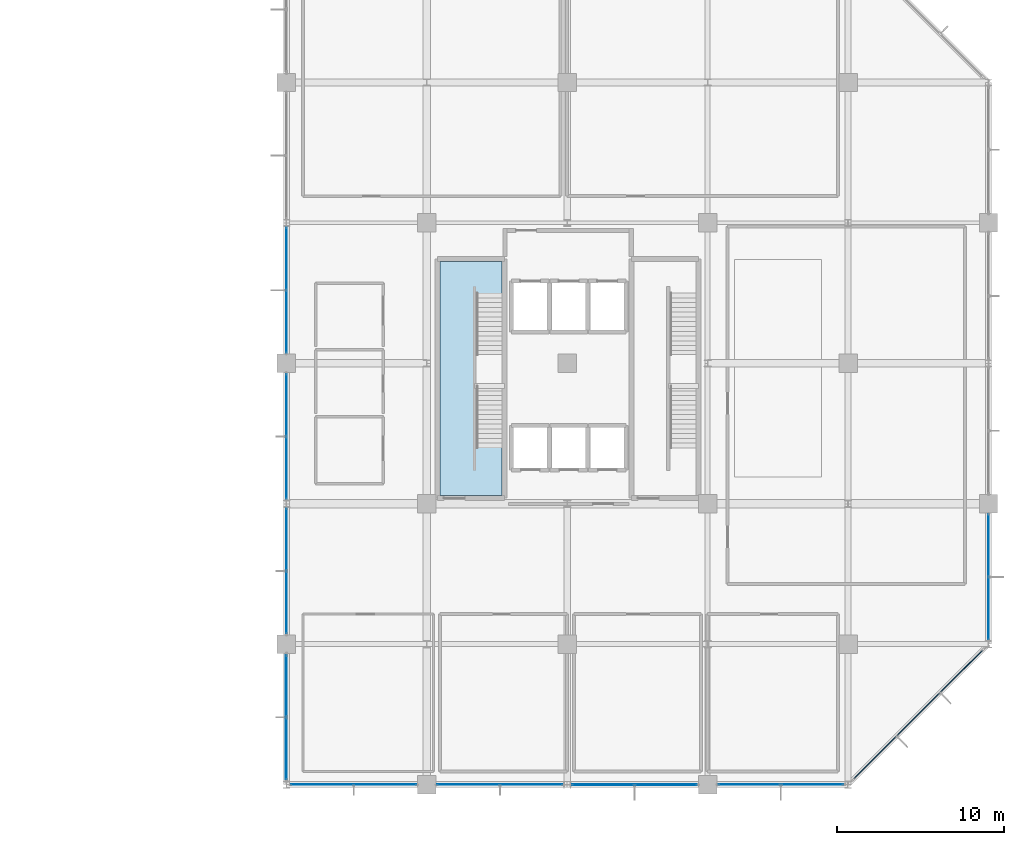
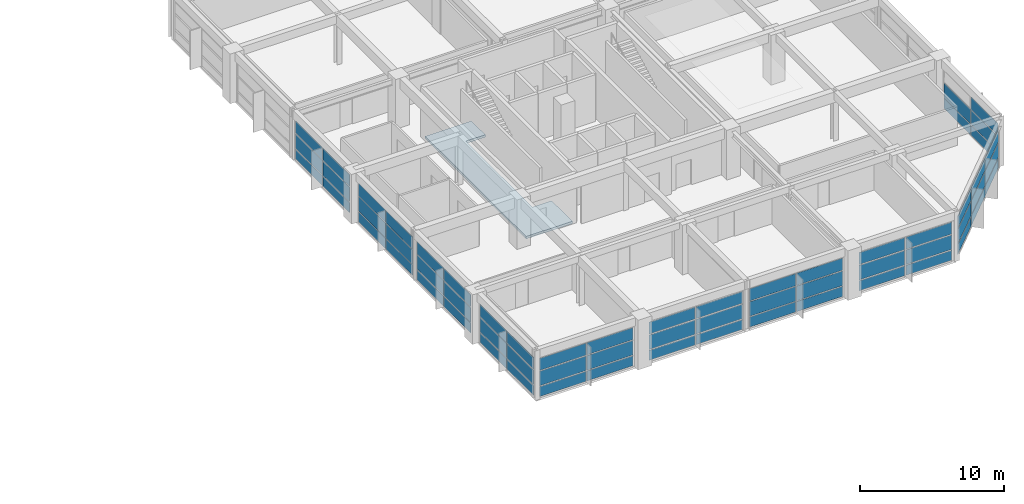
# One storey, part 13 of 19: 62 plates, 1 slab, 11 elements without a shape of their own.
"""IFC4 building model written with IfcOpenShell, lengths in metres."""

from ifc_helpers import new_model, si_unit, direction, frame, origin, origin_2d, place, context, subcontext, project, spatial, polyline, rectangle, outline, extrude, material, layer, layer_set, type_object, element, aggregate, save


model = new_model("IFC4")

# Units and contexts
model_context = context("Model", 3, precision=1e-05, world=origin(), true_north=direction((0.0, 1.0)))
body_context = subcontext(model_context, "Body", "Model", "MODEL_VIEW")
ifc_project = project(units=[si_unit("LENGTHUNIT", "METRE"), si_unit("AREAUNIT", "SQUARE_METRE"), si_unit("VOLUMEUNIT", "CUBIC_METRE"), si_unit("PLANEANGLEUNIT", "RADIAN"), si_unit("MASSUNIT", "GRAM", prefix="KILO")], contexts=[model_context])

# Site, building, storey
site_placement = place(None, origin())
site = spatial("IfcSite", under=ifc_project, at=site_placement, CompositionType="ELEMENT")
building_placement = place(site_placement, origin())
building = spatial("IfcBuilding", under=site, at=building_placement, Name="Xuanlan Plaza Opera House", CompositionType="ELEMENT")
storey_placement = place(building_placement, frame((0.0, 0.0, 36.300048828125)))
storey = spatial("IfcBuildingStorey", under=building, at=storey_placement, Name="L08", CompositionType="ELEMENT", Elevation=36.300048828125)

# Curtain wall, plates
ifc_material_1 = material(Name="Anodised Aluminium 6063-T6 and Low-E Glass", Category="aluminium")
curtain_wall_type_1 = type_object("IfcCurtainWallType", Name="ENV-CW-CW-04", PredefinedType="USERDEFINED", material=ifc_material_1)
curtain_wall_1_placement = place(storey_placement, origin())
curtain_wall_1 = element("IfcCurtainWall", 1, at=curtain_wall_1_placement, inside=storey, type_object=curtain_wall_type_1, Name="Unitised Curtain Wall L08-002", ObjectType="UNITISED CURTAIN WALL", PredefinedType="USERDEFINED")
ifc_material_2 = material(Name="Laminated Acoustic Double Glazing", Category="glass")
ifc_layer_1 = layer(ifc_material_2, 0.028076171875)
ifc_layer_set_1 = layer_set([ifc_layer_1], Name="Laminated Acoustic Double Glazing")
plate_type_1 = type_object("IfcPlateType", Name="ENV-CWP-01", PredefinedType="CURTAIN_PANEL", material=ifc_layer_set_1)
plate_1_placement = place(storey_placement, frame((136.889892578125, 33.60009765625, 0.079833984375), z_axis=(0.0, 0.0, 1.0), x_axis=(1.0, 0.0, 0.0)))
plate_1 = element("IfcPlate", 2, at=plate_1_placement, type_object=plate_type_1, Name="CW-04 panel 1.1", PredefinedType="CURTAIN_PANEL", context=body_context, shape_type="SweptSolid", body=[
    extrude(rectangle(XDim=3.699951171875, YDim=0.028076171875, at=origin_2d()), origin(), (0.0, 0.0, 1.0), 0.830078125),
])
plate_2_placement = place(storey_placement, frame((136.889892578125, 33.60009765625, 0.98974609375), z_axis=(0.0, 0.0, 1.0), x_axis=(1.0, 0.0, 0.0)))
plate_2 = element("IfcPlate", 3, at=plate_2_placement, type_object=plate_type_1, Name="CW-04 panel 1.2", PredefinedType="CURTAIN_PANEL", context=body_context, shape_type="SweptSolid", body=[
    extrude(rectangle(XDim=3.699951171875, YDim=0.028076171875, at=origin_2d()), origin(), (0.0, 0.0, 1.0), 1.219970703125),
])
plate_3_placement = place(storey_placement, frame((136.889892578125, 33.60009765625, 2.2900390625), z_axis=(0.0, 0.0, 1.0), x_axis=(1.0, 0.0, 0.0)))
plate_3 = element("IfcPlate", 4, at=plate_3_placement, type_object=plate_type_1, Name="CW-04 panel 1.3", PredefinedType="CURTAIN_PANEL", context=body_context, shape_type="SweptSolid", body=[
    extrude(rectangle(XDim=3.699951171875, YDim=0.028076171875, at=origin_2d()), origin(), (0.0, 0.0, 1.0), 1.010009765625),
])
plate_4_placement = place(storey_placement, frame((140.659912109375, 33.60009765625, 0.079833984375), z_axis=(0.0, 0.0, 1.0), x_axis=(1.0, 0.0, 0.0)))
plate_4 = element("IfcPlate", 5, at=plate_4_placement, type_object=plate_type_1, Name="CW-04 panel 2.1", PredefinedType="CURTAIN_PANEL", context=body_context, shape_type="SweptSolid", body=[
    extrude(rectangle(XDim=3.699951171875, YDim=0.028076171875, at=origin_2d()), origin(), (0.0, 0.0, 1.0), 0.830078125),
])
plate_5_placement = place(storey_placement, frame((140.659912109375, 33.60009765625, 0.98974609375), z_axis=(0.0, 0.0, 1.0), x_axis=(1.0, 0.0, 0.0)))
plate_5 = element("IfcPlate", 6, at=plate_5_placement, type_object=plate_type_1, Name="CW-04 panel 2.2", PredefinedType="CURTAIN_PANEL", context=body_context, shape_type="SweptSolid", body=[
    extrude(rectangle(XDim=3.699951171875, YDim=0.028076171875, at=origin_2d()), origin(), (0.0, 0.0, 1.0), 1.219970703125),
])
plate_6_placement = place(storey_placement, frame((140.659912109375, 33.60009765625, 2.2900390625), z_axis=(0.0, 0.0, 1.0), x_axis=(1.0, 0.0, 0.0)))
plate_6 = element("IfcPlate", 7, at=plate_6_placement, type_object=plate_type_1, Name="CW-04 panel 2.3", PredefinedType="CURTAIN_PANEL", context=body_context, shape_type="SweptSolid", body=[
    extrude(rectangle(XDim=3.699951171875, YDim=0.028076171875, at=origin_2d()), origin(), (0.0, 0.0, 1.0), 1.010009765625),
])
aggregate(curtain_wall_1, [plate_1, plate_2, plate_3, plate_4, plate_5, plate_6])

curtain_wall_type_2 = type_object("IfcCurtainWallType", Name="ENV-CW-CW-03", PredefinedType="USERDEFINED", material=ifc_material_1)
curtain_wall_2_placement = place(storey_placement, origin())
curtain_wall_2 = element("IfcCurtainWall", 8, at=curtain_wall_2_placement, inside=storey, type_object=curtain_wall_type_2, Name="Unitised Curtain Wall L08-017", ObjectType="UNITISED CURTAIN WALL", PredefinedType="USERDEFINED")
plate_7_placement = place(storey_placement, frame((126.0, 65.06005859375, 0.079833984375), z_axis=(0.0, 0.0, 1.0), x_axis=(0.0, -1.0, 0.0)))
plate_7 = element("IfcPlate", 9, at=plate_7_placement, type_object=plate_type_1, Name="CW-03 panel 1.1", PredefinedType="CURTAIN_PANEL", context=body_context, shape_type="SweptSolid", body=[
    extrude(rectangle(XDim=3.699951171875, YDim=0.028076171875, at=origin_2d()), origin(), (0.0, 0.0, 1.0), 0.830078125),
])
plate_8_placement = place(storey_placement, frame((126.0, 65.06005859375, 0.98974609375), z_axis=(0.0, 0.0, 1.0), x_axis=(0.0, -1.0, 0.0)))
plate_8 = element("IfcPlate", 10, at=plate_8_placement, type_object=plate_type_1, Name="CW-03 panel 1.2", PredefinedType="CURTAIN_PANEL", context=body_context, shape_type="SweptSolid", body=[
    extrude(rectangle(XDim=3.699951171875, YDim=0.028076171875, at=origin_2d()), origin(), (0.0, 0.0, 1.0), 1.219970703125),
])
plate_9_placement = place(storey_placement, frame((126.0, 65.06005859375, 2.2900390625), z_axis=(0.0, 0.0, 1.0), x_axis=(0.0, -1.0, 0.0)))
plate_9 = element("IfcPlate", 11, at=plate_9_placement, type_object=plate_type_1, Name="CW-03 panel 1.3", PredefinedType="CURTAIN_PANEL", context=body_context, shape_type="SweptSolid", body=[
    extrude(rectangle(XDim=3.699951171875, YDim=0.028076171875, at=origin_2d()), origin(), (0.0, 0.0, 1.0), 1.010009765625),
])
plate_10_placement = place(storey_placement, frame((126.0, 61.2900390625, 0.079833984375), z_axis=(0.0, 0.0, 1.0), x_axis=(0.0, -1.0, 0.0)))
plate_10 = element("IfcPlate", 12, at=plate_10_placement, type_object=plate_type_1, Name="CW-03 panel 2.1", PredefinedType="CURTAIN_PANEL", context=body_context, shape_type="SweptSolid", body=[
    extrude(rectangle(XDim=3.699951171875, YDim=0.028076171875, at=origin_2d()), origin(), (0.0, 0.0, 1.0), 0.830078125),
])
plate_11_placement = place(storey_placement, frame((126.0, 61.2900390625, 0.98974609375), z_axis=(0.0, 0.0, 1.0), x_axis=(0.0, -1.0, 0.0)))
plate_11 = element("IfcPlate", 13, at=plate_11_placement, type_object=plate_type_1, Name="CW-03 panel 2.2", PredefinedType="CURTAIN_PANEL", context=body_context, shape_type="SweptSolid", body=[
    extrude(rectangle(XDim=3.699951171875, YDim=0.028076171875, at=origin_2d()), origin(), (0.0, 0.0, 1.0), 1.219970703125),
])
plate_12_placement = place(storey_placement, frame((126.0, 61.2900390625, 2.2900390625), z_axis=(0.0, 0.0, 1.0), x_axis=(0.0, -1.0, 0.0)))
plate_12 = element("IfcPlate", 14, at=plate_12_placement, type_object=plate_type_1, Name="CW-03 panel 2.3", PredefinedType="CURTAIN_PANEL", context=body_context, shape_type="SweptSolid", body=[
    extrude(rectangle(XDim=3.699951171875, YDim=0.028076171875, at=origin_2d()), origin(), (0.0, 0.0, 1.0), 1.010009765625),
])
aggregate(curtain_wall_2, [plate_7, plate_8, plate_9, plate_10, plate_11, plate_12])

curtain_wall_type_3 = type_object("IfcCurtainWallType", Name="ENV-CW-CW-02", PredefinedType="USERDEFINED", material=ifc_material_1)
curtain_wall_3_placement = place(storey_placement, origin())
curtain_wall_3 = element("IfcCurtainWall", 15, at=curtain_wall_3_placement, inside=storey, type_object=curtain_wall_type_3, Name="Unitised Curtain Wall L08-004", ObjectType="UNITISED CURTAIN WALL", PredefinedType="USERDEFINED")
ifc_layer_2 = layer(ifc_material_2, 0.031982421875)
ifc_layer_set_2 = layer_set([ifc_layer_2], Name="Laminated Acoustic Double Glazing")
plate_type_2 = type_object("IfcPlateType", Name="ENV-CWP-02", PredefinedType="CURTAIN_PANEL", material=ifc_layer_set_2)
plate_13_placement = place(storey_placement, frame((153.6923828125, 33.60009765625, 0.074951171875), z_axis=(0.0, 0.0, 1.0), x_axis=(1.0, 0.0, 0.0)))
plate_13 = element("IfcPlate", 16, at=plate_13_placement, type_object=plate_type_2, Name="CW-02 panel 1.1", PredefinedType="CURTAIN_PANEL", context=body_context, shape_type="SweptSolid", body=[
    extrude(rectangle(XDim=3.68505859375, YDim=0.031982421875, at=origin_2d()), origin(), (0.0, 0.0, 1.0), 0.83740234375),
])
plate_14_placement = place(storey_placement, frame((153.6923828125, 33.60009765625, 0.9873046875), z_axis=(0.0, 0.0, 1.0), x_axis=(1.0, 0.0, 0.0)))
plate_14 = element("IfcPlate", 17, at=plate_14_placement, type_object=plate_type_2, Name="CW-02 panel 1.2", PredefinedType="CURTAIN_PANEL", context=body_context, shape_type="SweptSolid", body=[
    extrude(rectangle(XDim=3.68505859375, YDim=0.031982421875, at=origin_2d()), origin(), (0.0, 0.0, 1.0), 1.22509765625),
])
plate_15_placement = place(storey_placement, frame((153.6923828125, 33.60009765625, 2.287353515625), z_axis=(0.0, 0.0, 1.0), x_axis=(1.0, 0.0, 0.0)))
plate_15 = element("IfcPlate", 18, at=plate_15_placement, type_object=plate_type_2, Name="CW-02 panel 1.3", PredefinedType="CURTAIN_PANEL", context=body_context, shape_type="SweptSolid", body=[
    extrude(rectangle(XDim=3.68505859375, YDim=0.031982421875, at=origin_2d()), origin(), (0.0, 0.0, 1.0), 1.017578125),
])
plate_16_placement = place(storey_placement, frame((157.45751953125, 33.60009765625, 0.074951171875), z_axis=(0.0, 0.0, 1.0), x_axis=(1.0, 0.0, 0.0)))
plate_16 = element("IfcPlate", 19, at=plate_16_placement, type_object=plate_type_2, Name="CW-02 panel 2.1", PredefinedType="CURTAIN_PANEL", context=body_context, shape_type="SweptSolid", body=[
    extrude(rectangle(XDim=3.68505859375, YDim=0.031982421875, at=origin_2d()), origin(), (0.0, 0.0, 1.0), 0.83740234375),
])
plate_17_placement = place(storey_placement, frame((157.45751953125, 33.60009765625, 0.9873046875), z_axis=(0.0, 0.0, 1.0), x_axis=(1.0, 0.0, 0.0)))
plate_17 = element("IfcPlate", 20, at=plate_17_placement, type_object=plate_type_2, Name="CW-02 panel 2.2", PredefinedType="CURTAIN_PANEL", context=body_context, shape_type="SweptSolid", body=[
    extrude(rectangle(XDim=3.68505859375, YDim=0.031982421875, at=origin_2d()), origin(), (0.0, 0.0, 1.0), 1.22509765625),
])
plate_18_placement = place(storey_placement, frame((157.45751953125, 33.60009765625, 2.287353515625), z_axis=(0.0, 0.0, 1.0), x_axis=(1.0, 0.0, 0.0)))
plate_18 = element("IfcPlate", 21, at=plate_18_placement, type_object=plate_type_2, Name="CW-02 panel 2.3", PredefinedType="CURTAIN_PANEL", context=body_context, shape_type="SweptSolid", body=[
    extrude(rectangle(XDim=3.68505859375, YDim=0.031982421875, at=origin_2d()), origin(), (0.0, 0.0, 1.0), 1.017578125),
])
aggregate(curtain_wall_3, [plate_13, plate_14, plate_15, plate_16, plate_17, plate_18])

curtain_wall_type_4 = type_object("IfcCurtainWallType", Name="ENV-CW-CW-01", PredefinedType="USERDEFINED", material=ifc_material_1)
curtain_wall_4_placement = place(storey_placement, origin())
curtain_wall_4 = element("IfcCurtainWall", 22, at=curtain_wall_4_placement, inside=storey, type_object=curtain_wall_type_4, Name="Unitised Curtain Wall L08-019", ObjectType="UNITISED CURTAIN WALL", PredefinedType="USERDEFINED")
plate_19_placement = place(storey_placement, frame((126.0, 48.257568359375, 0.074951171875), z_axis=(0.0, 0.0, 1.0), x_axis=(0.0, -1.0, 0.0)))
plate_19 = element("IfcPlate", 23, at=plate_19_placement, type_object=plate_type_2, Name="CW-01 panel 1.1", PredefinedType="CURTAIN_PANEL", context=body_context, shape_type="SweptSolid", body=[
    extrude(rectangle(XDim=3.68505859375, YDim=0.031982421875, at=origin_2d()), origin(), (0.0, 0.0, 1.0), 0.83740234375),
])
plate_20_placement = place(storey_placement, frame((126.0, 48.257568359375, 0.9873046875), z_axis=(0.0, 0.0, 1.0), x_axis=(0.0, -1.0, 0.0)))
plate_20 = element("IfcPlate", 24, at=plate_20_placement, type_object=plate_type_2, Name="CW-01 panel 1.2", PredefinedType="CURTAIN_PANEL", context=body_context, shape_type="SweptSolid", body=[
    extrude(rectangle(XDim=3.68505859375, YDim=0.031982421875, at=origin_2d()), origin(), (0.0, 0.0, 1.0), 1.22509765625),
])
plate_21_placement = place(storey_placement, frame((126.0, 48.257568359375, 2.287353515625), z_axis=(0.0, 0.0, 1.0), x_axis=(0.0, -1.0, 0.0)))
plate_21 = element("IfcPlate", 25, at=plate_21_placement, type_object=plate_type_2, Name="CW-01 panel 1.3", PredefinedType="CURTAIN_PANEL", context=body_context, shape_type="SweptSolid", body=[
    extrude(rectangle(XDim=3.68505859375, YDim=0.031982421875, at=origin_2d()), origin(), (0.0, 0.0, 1.0), 1.017578125),
])
plate_22_placement = place(storey_placement, frame((126.0, 44.492431640625, 0.074951171875), z_axis=(0.0, 0.0, 1.0), x_axis=(0.0, -1.0, 0.0)))
plate_22 = element("IfcPlate", 26, at=plate_22_placement, type_object=plate_type_2, Name="CW-01 panel 2.1", PredefinedType="CURTAIN_PANEL", context=body_context, shape_type="SweptSolid", body=[
    extrude(rectangle(XDim=3.68505859375, YDim=0.031982421875, at=origin_2d()), origin(), (0.0, 0.0, 1.0), 0.83740234375),
])
plate_23_placement = place(storey_placement, frame((126.0, 44.492431640625, 0.9873046875), z_axis=(0.0, 0.0, 1.0), x_axis=(0.0, -1.0, 0.0)))
plate_23 = element("IfcPlate", 27, at=plate_23_placement, type_object=plate_type_2, Name="CW-01 panel 2.2", PredefinedType="CURTAIN_PANEL", context=body_context, shape_type="SweptSolid", body=[
    extrude(rectangle(XDim=3.68505859375, YDim=0.031982421875, at=origin_2d()), origin(), (0.0, 0.0, 1.0), 1.22509765625),
])
plate_24_placement = place(storey_placement, frame((126.0, 44.492431640625, 2.287353515625), z_axis=(0.0, 0.0, 1.0), x_axis=(0.0, -1.0, 0.0)))
plate_24 = element("IfcPlate", 28, at=plate_24_placement, type_object=plate_type_2, Name="CW-01 panel 2.3", PredefinedType="CURTAIN_PANEL", context=body_context, shape_type="SweptSolid", body=[
    extrude(rectangle(XDim=3.68505859375, YDim=0.031982421875, at=origin_2d()), origin(), (0.0, 0.0, 1.0), 1.017578125),
])
aggregate(curtain_wall_4, [plate_19, plate_20, plate_21, plate_22, plate_23, plate_24])

curtain_wall_5_placement = place(storey_placement, origin())
curtain_wall_5 = element("IfcCurtainWall", 29, at=curtain_wall_5_placement, inside=storey, type_object=curtain_wall_type_2, Name="Unitised Curtain Wall L08-001", ObjectType="UNITISED CURTAIN WALL", PredefinedType="USERDEFINED")
ifc_layer_3 = layer(ifc_material_2, 0.035888671875)
ifc_layer_set_3 = layer_set([ifc_layer_3], Name="Laminated Acoustic Double Glazing")
plate_type_3 = type_object("IfcPlateType", Name="ENV-CWP-03", PredefinedType="CURTAIN_PANEL", material=ifc_layer_set_3)
plate_25_placement = place(storey_placement, frame((128.138671875, 33.60009765625, 0.06982421875), z_axis=(0.0, 0.0, 1.0), x_axis=(1.0, 0.0, 0.0)))
plate_25 = element("IfcPlate", 30, at=plate_25_placement, type_object=plate_type_3, Name="CW-03 panel 1.1", PredefinedType="CURTAIN_PANEL", context=body_context, shape_type="SweptSolid", body=[
    extrude(rectangle(XDim=3.70751953125, YDim=0.035888671875, at=origin_2d()), origin(), (0.0, 0.0, 1.0), 0.844970703125),
])
plate_26_placement = place(storey_placement, frame((128.138671875, 33.60009765625, 0.98486328125), z_axis=(0.0, 0.0, 1.0), x_axis=(1.0, 0.0, 0.0)))
plate_26 = element("IfcPlate", 31, at=plate_26_placement, type_object=plate_type_3, Name="CW-03 panel 1.2", PredefinedType="CURTAIN_PANEL", context=body_context, shape_type="SweptSolid", body=[
    extrude(rectangle(XDim=3.70751953125, YDim=0.035888671875, at=origin_2d()), origin(), (0.0, 0.0, 1.0), 1.22998046875),
])
plate_27_placement = place(storey_placement, frame((128.138671875, 33.60009765625, 2.284912109375), z_axis=(0.0, 0.0, 1.0), x_axis=(1.0, 0.0, 0.0)))
plate_27 = element("IfcPlate", 32, at=plate_27_placement, type_object=plate_type_3, Name="CW-03 panel 1.3", PredefinedType="CURTAIN_PANEL", context=body_context, shape_type="SweptSolid", body=[
    extrude(rectangle(XDim=3.70751953125, YDim=0.035888671875, at=origin_2d()), origin(), (0.0, 0.0, 1.0), 1.02490234375),
])
plate_28_placement = place(storey_placement, frame((131.9111328125, 33.60009765625, 0.06982421875), z_axis=(0.0, 0.0, 1.0), x_axis=(1.0, 0.0, 0.0)))
plate_28 = element("IfcPlate", 33, at=plate_28_placement, type_object=plate_type_3, Name="CW-03 panel 2.1", PredefinedType="CURTAIN_PANEL", context=body_context, shape_type="SweptSolid", body=[
    extrude(rectangle(XDim=3.70751953125, YDim=0.035888671875, at=origin_2d()), origin(), (0.0, 0.0, 1.0), 0.844970703125),
])
plate_29_placement = place(storey_placement, frame((131.9111328125, 33.60009765625, 0.98486328125), z_axis=(0.0, 0.0, 1.0), x_axis=(1.0, 0.0, 0.0)))
plate_29 = element("IfcPlate", 34, at=plate_29_placement, type_object=plate_type_3, Name="CW-03 panel 2.2", PredefinedType="CURTAIN_PANEL", context=body_context, shape_type="SweptSolid", body=[
    extrude(rectangle(XDim=3.70751953125, YDim=0.035888671875, at=origin_2d()), origin(), (0.0, 0.0, 1.0), 1.22998046875),
])
plate_30_placement = place(storey_placement, frame((131.9111328125, 33.60009765625, 2.284912109375), z_axis=(0.0, 0.0, 1.0), x_axis=(1.0, 0.0, 0.0)))
plate_30 = element("IfcPlate", 35, at=plate_30_placement, type_object=plate_type_3, Name="CW-03 panel 2.3", PredefinedType="CURTAIN_PANEL", context=body_context, shape_type="SweptSolid", body=[
    extrude(rectangle(XDim=3.70751953125, YDim=0.035888671875, at=origin_2d()), origin(), (0.0, 0.0, 1.0), 1.02490234375),
])
aggregate(curtain_wall_5, [plate_25, plate_26, plate_27, plate_28, plate_29, plate_30])

curtain_wall_6_placement = place(storey_placement, origin())
curtain_wall_6 = element("IfcCurtainWall", 36, at=curtain_wall_6_placement, inside=storey, type_object=curtain_wall_type_1, Name="Unitised Curtain Wall L08-006", ObjectType="UNITISED CURTAIN WALL", PredefinedType="USERDEFINED")
plate_31_placement = place(storey_placement, frame((168.0, 44.138671875, 0.06982421875), z_axis=(0.0, 0.0, 1.0), x_axis=(0.0, 1.0, 0.0)))
plate_31 = element("IfcPlate", 37, at=plate_31_placement, type_object=plate_type_3, Name="CW-04 panel 1.1", PredefinedType="CURTAIN_PANEL", context=body_context, shape_type="SweptSolid", body=[
    extrude(rectangle(XDim=3.70751953125, YDim=0.035888671875, at=origin_2d()), origin(), (0.0, 0.0, 1.0), 0.844970703125),
])
plate_32_placement = place(storey_placement, frame((168.0, 44.138671875, 0.98486328125), z_axis=(0.0, 0.0, 1.0), x_axis=(0.0, 1.0, 0.0)))
plate_32 = element("IfcPlate", 38, at=plate_32_placement, type_object=plate_type_3, Name="CW-04 panel 1.2", PredefinedType="CURTAIN_PANEL", context=body_context, shape_type="SweptSolid", body=[
    extrude(rectangle(XDim=3.70751953125, YDim=0.035888671875, at=origin_2d()), origin(), (0.0, 0.0, 1.0), 1.22998046875),
])
plate_33_placement = place(storey_placement, frame((168.0, 44.138671875, 2.284912109375), z_axis=(0.0, 0.0, 1.0), x_axis=(0.0, 1.0, 0.0)))
plate_33 = element("IfcPlate", 39, at=plate_33_placement, type_object=plate_type_3, Name="CW-04 panel 1.3", PredefinedType="CURTAIN_PANEL", context=body_context, shape_type="SweptSolid", body=[
    extrude(rectangle(XDim=3.70751953125, YDim=0.035888671875, at=origin_2d()), origin(), (0.0, 0.0, 1.0), 1.02490234375),
])
plate_34_placement = place(storey_placement, frame((168.0, 47.9111328125, 0.06982421875), z_axis=(0.0, 0.0, 1.0), x_axis=(0.0, 1.0, 0.0)))
plate_34 = element("IfcPlate", 40, at=plate_34_placement, type_object=plate_type_3, Name="CW-04 panel 2.1", PredefinedType="CURTAIN_PANEL", context=body_context, shape_type="SweptSolid", body=[
    extrude(rectangle(XDim=3.70751953125, YDim=0.035888671875, at=origin_2d()), origin(), (0.0, 0.0, 1.0), 0.844970703125),
])
plate_35_placement = place(storey_placement, frame((168.0, 47.9111328125, 0.98486328125), z_axis=(0.0, 0.0, 1.0), x_axis=(0.0, 1.0, 0.0)))
plate_35 = element("IfcPlate", 41, at=plate_35_placement, type_object=plate_type_3, Name="CW-04 panel 2.2", PredefinedType="CURTAIN_PANEL", context=body_context, shape_type="SweptSolid", body=[
    extrude(rectangle(XDim=3.70751953125, YDim=0.035888671875, at=origin_2d()), origin(), (0.0, 0.0, 1.0), 1.22998046875),
])
aggregate(curtain_wall_6, [plate_31, plate_32, plate_33, plate_34, plate_35])

curtain_wall_7_placement = place(storey_placement, origin())
curtain_wall_7 = element("IfcCurtainWall", 42, at=curtain_wall_7_placement, inside=storey, type_object=curtain_wall_type_4, Name="Unitised Curtain Wall L08-003", ObjectType="UNITISED CURTAIN WALL", PredefinedType="USERDEFINED")
ifc_layer_4 = layer(ifc_material_2, 0.0400390625)
ifc_layer_set_4 = layer_set([ifc_layer_4], Name="Laminated Acoustic Double Glazing")
plate_type_4 = type_object("IfcPlateType", Name="ENV-CWP-04", PredefinedType="CURTAIN_PANEL", material=ifc_layer_set_4)
plate_36_placement = place(storey_placement, frame((144.941162109375, 33.60009765625, 0.06494140625), z_axis=(0.0, 0.0, 1.0), x_axis=(1.0, 0.0, 0.0)))
plate_36 = element("IfcPlate", 43, at=plate_36_placement, type_object=plate_type_4, Name="CW-01 panel 1.1", PredefinedType="CURTAIN_PANEL", context=body_context, shape_type="SweptSolid", body=[
    extrude(rectangle(XDim=3.6923828125, YDim=0.0400390625, at=origin_2d()), origin(), (0.0, 0.0, 1.0), 0.8525390625),
])
plate_37_placement = place(storey_placement, frame((144.941162109375, 33.60009765625, 0.982421875), z_axis=(0.0, 0.0, 1.0), x_axis=(1.0, 0.0, 0.0)))
plate_37 = element("IfcPlate", 44, at=plate_37_placement, type_object=plate_type_4, Name="CW-01 panel 1.2", PredefinedType="CURTAIN_PANEL", context=body_context, shape_type="SweptSolid", body=[
    extrude(rectangle(XDim=3.6923828125, YDim=0.0400390625, at=origin_2d()), origin(), (0.0, 0.0, 1.0), 1.235107421875),
])
plate_38_placement = place(storey_placement, frame((144.941162109375, 33.60009765625, 2.2822265625), z_axis=(0.0, 0.0, 1.0), x_axis=(1.0, 0.0, 0.0)))
plate_38 = element("IfcPlate", 45, at=plate_38_placement, type_object=plate_type_4, Name="CW-01 panel 1.3", PredefinedType="CURTAIN_PANEL", context=body_context, shape_type="SweptSolid", body=[
    extrude(rectangle(XDim=3.6923828125, YDim=0.0400390625, at=origin_2d()), origin(), (0.0, 0.0, 1.0), 1.032470703125),
])
plate_39_placement = place(storey_placement, frame((148.708740234375, 33.60009765625, 0.06494140625), z_axis=(0.0, 0.0, 1.0), x_axis=(1.0, 0.0, 0.0)))
plate_39 = element("IfcPlate", 46, at=plate_39_placement, type_object=plate_type_4, Name="CW-01 panel 2.1", PredefinedType="CURTAIN_PANEL", context=body_context, shape_type="SweptSolid", body=[
    extrude(rectangle(XDim=3.6923828125, YDim=0.0400390625, at=origin_2d()), origin(), (0.0, 0.0, 1.0), 0.8525390625),
])
plate_40_placement = place(storey_placement, frame((148.708740234375, 33.60009765625, 0.982421875), z_axis=(0.0, 0.0, 1.0), x_axis=(1.0, 0.0, 0.0)))
plate_40 = element("IfcPlate", 47, at=plate_40_placement, type_object=plate_type_4, Name="CW-01 panel 2.2", PredefinedType="CURTAIN_PANEL", context=body_context, shape_type="SweptSolid", body=[
    extrude(rectangle(XDim=3.6923828125, YDim=0.0400390625, at=origin_2d()), origin(), (0.0, 0.0, 1.0), 1.235107421875),
])
plate_41_placement = place(storey_placement, frame((148.708740234375, 33.60009765625, 2.2822265625), z_axis=(0.0, 0.0, 1.0), x_axis=(1.0, 0.0, 0.0)))
plate_41 = element("IfcPlate", 48, at=plate_41_placement, type_object=plate_type_4, Name="CW-01 panel 2.3", PredefinedType="CURTAIN_PANEL", context=body_context, shape_type="SweptSolid", body=[
    extrude(rectangle(XDim=3.6923828125, YDim=0.0400390625, at=origin_2d()), origin(), (0.0, 0.0, 1.0), 1.032470703125),
])
aggregate(curtain_wall_7, [plate_36, plate_37, plate_38, plate_39, plate_40, plate_41])

curtain_wall_8_placement = place(storey_placement, origin())
curtain_wall_8 = element("IfcCurtainWall", 49, at=curtain_wall_8_placement, inside=storey, type_object=curtain_wall_type_1, Name="Unitised Curtain Wall L08-018", ObjectType="UNITISED CURTAIN WALL", PredefinedType="USERDEFINED")
plate_42_placement = place(storey_placement, frame((126.0, 56.308837890625, 0.06494140625), z_axis=(0.0, 0.0, 1.0), x_axis=(0.0, -1.0, 0.0)))
plate_42 = element("IfcPlate", 50, at=plate_42_placement, type_object=plate_type_4, Name="CW-04 panel 1.1", PredefinedType="CURTAIN_PANEL", context=body_context, shape_type="SweptSolid", body=[
    extrude(rectangle(XDim=3.6923828125, YDim=0.0400390625, at=origin_2d()), origin(), (0.0, 0.0, 1.0), 0.8525390625),
])
plate_43_placement = place(storey_placement, frame((126.0, 56.308837890625, 0.982421875), z_axis=(0.0, 0.0, 1.0), x_axis=(0.0, -1.0, 0.0)))
plate_43 = element("IfcPlate", 51, at=plate_43_placement, type_object=plate_type_4, Name="CW-04 panel 1.2", PredefinedType="CURTAIN_PANEL", context=body_context, shape_type="SweptSolid", body=[
    extrude(rectangle(XDim=3.6923828125, YDim=0.0400390625, at=origin_2d()), origin(), (0.0, 0.0, 1.0), 1.235107421875),
])
plate_44_placement = place(storey_placement, frame((126.0, 56.308837890625, 2.2822265625), z_axis=(0.0, 0.0, 1.0), x_axis=(0.0, -1.0, 0.0)))
plate_44 = element("IfcPlate", 52, at=plate_44_placement, type_object=plate_type_4, Name="CW-04 panel 1.3", PredefinedType="CURTAIN_PANEL", context=body_context, shape_type="SweptSolid", body=[
    extrude(rectangle(XDim=3.6923828125, YDim=0.0400390625, at=origin_2d()), origin(), (0.0, 0.0, 1.0), 1.032470703125),
])
plate_45_placement = place(storey_placement, frame((126.0, 52.541259765625, 0.06494140625), z_axis=(0.0, 0.0, 1.0), x_axis=(0.0, -1.0, 0.0)))
plate_45 = element("IfcPlate", 53, at=plate_45_placement, type_object=plate_type_4, Name="CW-04 panel 2.1", PredefinedType="CURTAIN_PANEL", context=body_context, shape_type="SweptSolid", body=[
    extrude(rectangle(XDim=3.6923828125, YDim=0.0400390625, at=origin_2d()), origin(), (0.0, 0.0, 1.0), 0.8525390625),
])
plate_46_placement = place(storey_placement, frame((126.0, 52.541259765625, 0.982421875), z_axis=(0.0, 0.0, 1.0), x_axis=(0.0, -1.0, 0.0)))
plate_46 = element("IfcPlate", 54, at=plate_46_placement, type_object=plate_type_4, Name="CW-04 panel 2.2", PredefinedType="CURTAIN_PANEL", context=body_context, shape_type="SweptSolid", body=[
    extrude(rectangle(XDim=3.6923828125, YDim=0.0400390625, at=origin_2d()), origin(), (0.0, 0.0, 1.0), 1.235107421875),
])
plate_47_placement = place(storey_placement, frame((126.0, 52.541259765625, 2.2822265625), z_axis=(0.0, 0.0, 1.0), x_axis=(0.0, -1.0, 0.0)))
plate_47 = element("IfcPlate", 55, at=plate_47_placement, type_object=plate_type_4, Name="CW-04 panel 2.3", PredefinedType="CURTAIN_PANEL", context=body_context, shape_type="SweptSolid", body=[
    extrude(rectangle(XDim=3.6923828125, YDim=0.0400390625, at=origin_2d()), origin(), (0.0, 0.0, 1.0), 1.032470703125),
])
aggregate(curtain_wall_8, [plate_42, plate_43, plate_44, plate_45, plate_46, plate_47])

curtain_wall_9_placement = place(storey_placement, origin())
curtain_wall_9 = element("IfcCurtainWall", 56, at=curtain_wall_9_placement, inside=storey, type_object=curtain_wall_type_2, Name="Unitised Curtain Wall L08-005", ObjectType="UNITISED CURTAIN WALL", PredefinedType="USERDEFINED")
ifc_layer_5 = layer(ifc_material_2, 0.0439453125)
ifc_layer_set_5 = layer_set([ifc_layer_5], Name="Laminated Acoustic Double Glazing")
plate_type_5 = type_object("IfcPlateType", Name="ENV-CWP-05", PredefinedType="CURTAIN_PANEL", material=ifc_layer_set_5)
plate_48_placement = place(storey_placement, frame((161.21533203125, 35.21533203125, 0.090087890625), z_axis=(0.0, 0.0, 1.0), x_axis=(0.707106781187, 0.707106781187, 0.0)))
plate_48 = element("IfcPlate", 57, at=plate_48_placement, type_object=plate_type_5, Name="CW-03 panel 1.1", PredefinedType="CURTAIN_PANEL", context=body_context, shape_type="SweptSolid", body=[
    extrude(rectangle(XDim=3.54296875, YDim=0.0439453125, at=origin_2d()), origin(), (0.0, 0.0, 1.0), 0.81494140625),
])
plate_49_placement = place(storey_placement, frame((161.21533203125, 35.21533203125, 0.994873046875), z_axis=(0.0, 0.0, 1.0), x_axis=(0.707106781187, 0.707106781187, 0.0)))
plate_49 = element("IfcPlate", 58, at=plate_49_placement, type_object=plate_type_5, Name="CW-03 panel 1.2", PredefinedType="CURTAIN_PANEL", context=body_context, shape_type="SweptSolid", body=[
    extrude(rectangle(XDim=3.54296875, YDim=0.0439453125, at=origin_2d()), origin(), (0.0, 0.0, 1.0), 1.2099609375),
])
plate_50_placement = place(storey_placement, frame((161.21533203125, 35.21533203125, 2.294921875), z_axis=(0.0, 0.0, 1.0), x_axis=(0.707106781187, 0.707106781187, 0.0)))
plate_50 = element("IfcPlate", 59, at=plate_50_placement, type_object=plate_type_5, Name="CW-03 panel 1.3", PredefinedType="CURTAIN_PANEL", context=body_context, shape_type="SweptSolid", body=[
    extrude(rectangle(XDim=3.54296875, YDim=0.0439453125, at=origin_2d()), origin(), (0.0, 0.0, 1.0), 0.9951171875),
])
plate_51_placement = place(storey_placement, frame((163.800048828125, 37.800048828125, 0.090087890625), z_axis=(0.0, 0.0, 1.0), x_axis=(0.707106781187, 0.707106781187, 0.0)))
plate_51 = element("IfcPlate", 60, at=plate_51_placement, type_object=plate_type_5, Name="CW-03 panel 2.1", PredefinedType="CURTAIN_PANEL", context=body_context, shape_type="SweptSolid", body=[
    extrude(rectangle(XDim=3.587890625, YDim=0.0439453125, at=origin_2d()), origin(), (0.0, 0.0, 1.0), 0.81494140625),
])
plate_52_placement = place(storey_placement, frame((163.800048828125, 37.800048828125, 0.994873046875), z_axis=(0.0, 0.0, 1.0), x_axis=(0.707106781187, 0.707106781187, 0.0)))
plate_52 = element("IfcPlate", 61, at=plate_52_placement, type_object=plate_type_5, Name="CW-03 panel 2.2", PredefinedType="CURTAIN_PANEL", context=body_context, shape_type="SweptSolid", body=[
    extrude(rectangle(XDim=3.587890625, YDim=0.0439453125, at=origin_2d()), origin(), (0.0, 0.0, 1.0), 1.2099609375),
])
plate_53_placement = place(storey_placement, frame((163.800048828125, 37.800048828125, 2.294921875), z_axis=(0.0, 0.0, 1.0), x_axis=(0.707106781187, 0.707106781187, 0.0)))
plate_53 = element("IfcPlate", 62, at=plate_53_placement, type_object=plate_type_5, Name="CW-03 panel 2.3", PredefinedType="CURTAIN_PANEL", context=body_context, shape_type="SweptSolid", body=[
    extrude(rectangle(XDim=3.587890625, YDim=0.0439453125, at=origin_2d()), origin(), (0.0, 0.0, 1.0), 0.9951171875),
])
plate_54_placement = place(storey_placement, frame((166.384765625, 40.384765625, 0.090087890625), z_axis=(0.0, 0.0, 1.0), x_axis=(0.707106781187, 0.707106781187, 0.0)))
plate_54 = element("IfcPlate", 63, at=plate_54_placement, type_object=plate_type_5, Name="CW-03 panel 3.1", PredefinedType="CURTAIN_PANEL", context=body_context, shape_type="SweptSolid", body=[
    extrude(rectangle(XDim=3.54296875, YDim=0.0439453125, at=origin_2d()), origin(), (0.0, 0.0, 1.0), 0.81494140625),
])
plate_55_placement = place(storey_placement, frame((166.384765625, 40.384765625, 0.994873046875), z_axis=(0.0, 0.0, 1.0), x_axis=(0.707106781187, 0.707106781187, 0.0)))
plate_55 = element("IfcPlate", 64, at=plate_55_placement, type_object=plate_type_5, Name="CW-03 panel 3.2", PredefinedType="CURTAIN_PANEL", context=body_context, shape_type="SweptSolid", body=[
    extrude(rectangle(XDim=3.54296875, YDim=0.0439453125, at=origin_2d()), origin(), (0.0, 0.0, 1.0), 1.2099609375),
])
plate_56_placement = place(storey_placement, frame((166.384765625, 40.384765625, 2.294921875), z_axis=(0.0, 0.0, 1.0), x_axis=(0.707106781187, 0.707106781187, 0.0)))
plate_56 = element("IfcPlate", 65, at=plate_56_placement, type_object=plate_type_5, Name="CW-03 panel 3.3", PredefinedType="CURTAIN_PANEL", context=body_context, shape_type="SweptSolid", body=[
    extrude(rectangle(XDim=3.54296875, YDim=0.0439453125, at=origin_2d()), origin(), (0.0, 0.0, 1.0), 0.9951171875),
])
aggregate(curtain_wall_9, [plate_48, plate_49, plate_50, plate_51, plate_52, plate_53, plate_54, plate_55, plate_56])

curtain_wall_10_placement = place(storey_placement, origin())
curtain_wall_10 = element("IfcCurtainWall", 66, at=curtain_wall_10_placement, inside=storey, type_object=curtain_wall_type_3, Name="Unitised Curtain Wall L08-020", ObjectType="UNITISED CURTAIN WALL", PredefinedType="USERDEFINED")
plate_57_placement = place(storey_placement, frame((126.0, 39.5048828125, 0.090087890625), z_axis=(0.0, 0.0, 1.0), x_axis=(0.0, -1.0, 0.0)))
plate_57 = element("IfcPlate", 67, at=plate_57_placement, type_object=plate_type_5, Name="CW-02 panel 1.1", PredefinedType="CURTAIN_PANEL", context=body_context, shape_type="SweptSolid", body=[
    extrude(rectangle(XDim=3.669921875, YDim=0.0439453125, at=origin_2d()), origin(), (0.0, 0.0, 1.0), 0.81494140625),
])
plate_58_placement = place(storey_placement, frame((126.0, 39.5048828125, 0.994873046875), z_axis=(0.0, 0.0, 1.0), x_axis=(0.0, -1.0, 0.0)))
plate_58 = element("IfcPlate", 68, at=plate_58_placement, type_object=plate_type_5, Name="CW-02 panel 1.2", PredefinedType="CURTAIN_PANEL", context=body_context, shape_type="SweptSolid", body=[
    extrude(rectangle(XDim=3.669921875, YDim=0.0439453125, at=origin_2d()), origin(), (0.0, 0.0, 1.0), 1.2099609375),
])
plate_59_placement = place(storey_placement, frame((126.0, 39.5048828125, 2.294921875), z_axis=(0.0, 0.0, 1.0), x_axis=(0.0, -1.0, 0.0)))
plate_59 = element("IfcPlate", 69, at=plate_59_placement, type_object=plate_type_5, Name="CW-02 panel 1.3", PredefinedType="CURTAIN_PANEL", context=body_context, shape_type="SweptSolid", body=[
    extrude(rectangle(XDim=3.669921875, YDim=0.0439453125, at=origin_2d()), origin(), (0.0, 0.0, 1.0), 0.9951171875),
])
plate_60_placement = place(storey_placement, frame((126.0, 35.7451171875, 0.090087890625), z_axis=(0.0, 0.0, 1.0), x_axis=(0.0, -1.0, 0.0)))
plate_60 = element("IfcPlate", 70, at=plate_60_placement, type_object=plate_type_5, Name="CW-02 panel 2.1", PredefinedType="CURTAIN_PANEL", context=body_context, shape_type="SweptSolid", body=[
    extrude(rectangle(XDim=3.669921875, YDim=0.0439453125, at=origin_2d()), origin(), (0.0, 0.0, 1.0), 0.81494140625),
])
plate_61_placement = place(storey_placement, frame((126.0, 35.7451171875, 0.994873046875), z_axis=(0.0, 0.0, 1.0), x_axis=(0.0, -1.0, 0.0)))
plate_61 = element("IfcPlate", 71, at=plate_61_placement, type_object=plate_type_5, Name="CW-02 panel 2.2", PredefinedType="CURTAIN_PANEL", context=body_context, shape_type="SweptSolid", body=[
    extrude(rectangle(XDim=3.669921875, YDim=0.0439453125, at=origin_2d()), origin(), (0.0, 0.0, 1.0), 1.2099609375),
])
plate_62_placement = place(storey_placement, frame((126.0, 35.7451171875, 2.294921875), z_axis=(0.0, 0.0, 1.0), x_axis=(0.0, -1.0, 0.0)))
plate_62 = element("IfcPlate", 72, at=plate_62_placement, type_object=plate_type_5, Name="CW-02 panel 2.3", PredefinedType="CURTAIN_PANEL", context=body_context, shape_type="SweptSolid", body=[
    extrude(rectangle(XDim=3.669921875, YDim=0.0439453125, at=origin_2d()), origin(), (0.0, 0.0, 1.0), 0.9951171875),
])
aggregate(curtain_wall_10, [plate_57, plate_58, plate_59, plate_60, plate_61, plate_62])

# Stair, slab
ifc_material_3 = material(Name="Concrete C40", Category="concrete")
stair_type = type_object("IfcStairType", Name="INT-ST-STR-T155", PredefinedType="STRAIGHT_RUN_STAIR", material=ifc_material_3)
stair_placement = place(storey_placement, origin())
stair = element("IfcStair", 73, at=stair_placement, inside=storey, type_object=stair_type, Name="Protected Exit Stair ST-T1 L08", PredefinedType="STRAIGHT_RUN_STAIR")
ifc_layer_6 = layer(ifc_material_3, 0.199951171875)
ifc_layer_set_6 = layer_set([ifc_layer_6], Name="Concrete C40")
slab_type = type_object("IfcSlabType", Name="INT-SLB-LND-20", PredefinedType="LANDING", material=ifc_layer_set_6)
slab_placement = place(storey_placement, frame((0.0, 0.0, -0.199951171875)))
slab = element("IfcSlab", 74, at=slab_placement, type_object=slab_type, Name="ST-T1-L08 landing 2", PredefinedType="LANDING", context=body_context, shape_type="SweptSolid", body=[
    extrude(outline(polyline([(135.199951171875, 50.89990234375), (138.89990234375, 50.89990234375), (138.89990234375, 53.764892578125), (137.35009765625, 53.764892578125), (137.35009765625, 62.97509765625), (138.89990234375, 62.97509765625), (138.89990234375, 64.89990234375), (135.199951171875, 64.89990234375), (135.199951171875, 50.89990234375)])), origin(), (0.0, 0.0, 1.0), 0.199951171875),
])
aggregate(stair, [slab])

save(model, "model.ifc")
